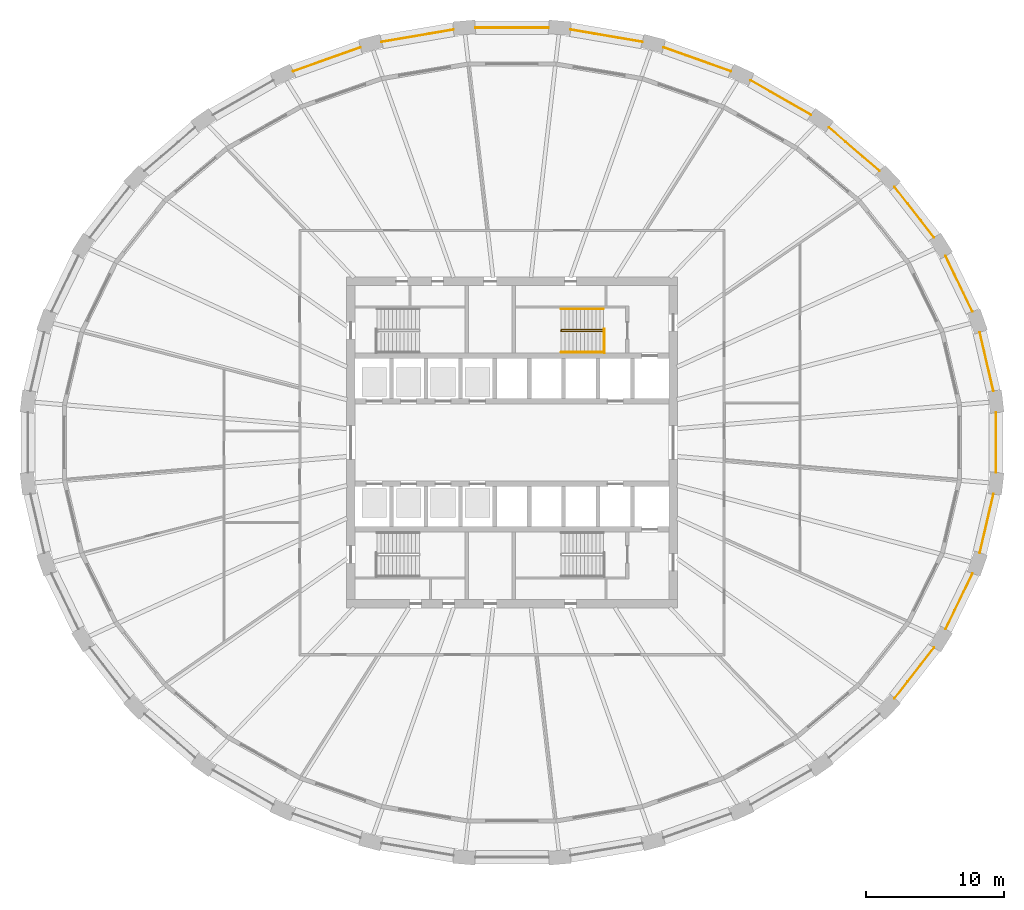
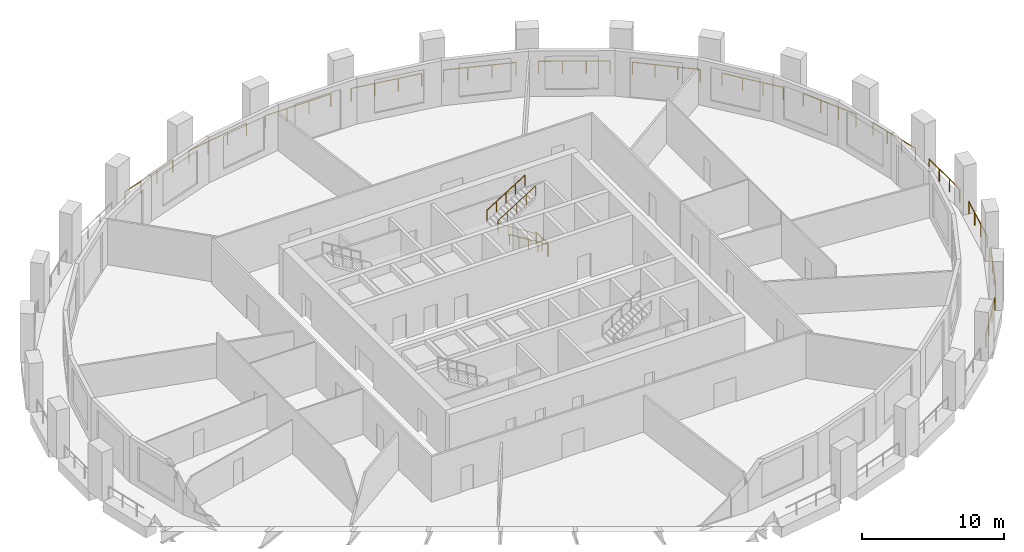
# One storey, part 9 of 10: 18 railings.
"""IFC4 building model written with IfcOpenShell, lengths in metres."""

from ifc_helpers import new_model, si_unit, direction, frame, origin, origin_2d, place, context, subcontext, project, spatial, circle, extrude, material, type_object, element, save


model = new_model("IFC4")

# Units and contexts
model_context = context("Model", 3, precision=1e-05, world=origin(), true_north=direction((0.0, 1.0)))
body_context = subcontext(model_context, "Body", "Model", "MODEL_VIEW")
ifc_project = project(units=[si_unit("LENGTHUNIT", "METRE"), si_unit("AREAUNIT", "SQUARE_METRE"), si_unit("VOLUMEUNIT", "CUBIC_METRE"), si_unit("PLANEANGLEUNIT", "RADIAN"), si_unit("MASSUNIT", "GRAM", prefix="KILO")], contexts=[model_context])

# Site, building, storey
site_placement = place(None, origin())
site = spatial("IfcSite", under=ifc_project, at=site_placement, CompositionType="ELEMENT")
building_placement = place(site_placement, origin())
building = spatial("IfcBuilding", under=site, at=building_placement, Name="Halqa Exchange Tower", CompositionType="ELEMENT")
storey_placement = place(building_placement, frame((0.0, 0.0, 108.699951171875)))
storey = spatial("IfcBuildingStorey", under=building, at=storey_placement, Name="L24", CompositionType="ELEMENT", Elevation=108.699951171875)

# Railings
ifc_material = material(Name="Stainless steel", Category="steel")
railing_type_1 = type_object("IfcRailingType", Name="Guard 1100 stainless steel", PredefinedType="GUARDRAIL", material=ifc_material)
railing_1_placement = place(storey_placement, frame((34.938720703125, 3.744140625, 0.0)))
element("IfcRailing", 1, at=railing_1_placement, inside=storey, type_object=railing_type_1, Name="Loggia guard 1", PredefinedType="GUARDRAIL", context=body_context, shape_type="SweptSolid", body=[
    extrude(circle(Radius=0.02392578125, at=origin_2d()), frame((0.0, 0.0, 1.076171875), z_axis=(-0.226083325103, 0.974107966352, 0.0), x_axis=(-0.974107966352, -0.226083325103, 0.0)), (0.0, 0.0, 1.0), 4.3701171875),
    extrude(circle(Radius=0.02099609375, at=origin_2d()), origin(), (0.0, 0.0, 1.0), 1.052001953125),
    extrude(circle(Radius=0.02099609375, at=origin_2d()), frame((-0.329345703125, 1.4189453125, 0.0)), (0.0, 0.0, 1.0), 1.052001953125),
    extrude(circle(Radius=0.02099609375, at=origin_2d()), frame((-0.65869140625, 2.838134765625, 0.0)), (0.0, 0.0, 1.0), 1.052001953125),
    extrude(circle(Radius=0.02099609375, at=origin_2d()), frame((-0.988037109375, 4.257080078125, 0.0)), (0.0, 0.0, 1.0), 1.052001953125),
])
railing_2_placement = place(storey_placement, frame((33.421875, 9.5009765625, 0.0)))
element("IfcRailing", 2, at=railing_2_placement, inside=storey, type_object=railing_type_1, Name="Loggia guard 2", PredefinedType="GUARDRAIL", context=body_context, shape_type="SweptSolid", body=[
    extrude(circle(Radius=0.02392578125, at=origin_2d()), frame((0.0, 0.0, 1.076171875), z_axis=(-0.435108344434, 0.900378103134, 0.0), x_axis=(-0.900378103134, -0.435108344434, 0.0)), (0.0, 0.0, 1.0), 4.484375),
    extrude(circle(Radius=0.02099609375, at=origin_2d()), origin(), (0.0, 0.0, 1.0), 1.052001953125),
    extrude(circle(Radius=0.02099609375, at=origin_2d()), frame((-0.650390625, 1.345947265625, 0.0)), (0.0, 0.0, 1.0), 1.052001953125),
    extrude(circle(Radius=0.02099609375, at=origin_2d()), frame((-1.30078125, 2.691650390625, 0.0)), (0.0, 0.0, 1.0), 1.052001953125),
    extrude(circle(Radius=0.02099609375, at=origin_2d()), frame((-1.951171875, 4.03759765625, 0.0)), (0.0, 0.0, 1.0), 1.052001953125),
])
railing_3_placement = place(storey_placement, frame((30.630859375, 14.889892578125, 0.0)))
element("IfcRailing", 3, at=railing_3_placement, inside=storey, type_object=railing_type_1, Name="Loggia guard 3", PredefinedType="GUARDRAIL", context=body_context, shape_type="SweptSolid", body=[
    extrude(circle(Radius=0.02392578125, at=origin_2d()), frame((0.0, 0.0, 1.076171875), z_axis=(-0.614826844316, 0.788662127599, 0.0), x_axis=(-0.788662127599, -0.614826844316, 0.0)), (0.0, 0.0, 1.0), 4.651611328125),
    extrude(circle(Radius=0.02099609375, at=origin_2d()), origin(), (0.0, 0.0, 1.0), 1.052001953125),
    extrude(circle(Radius=0.02099609375, at=origin_2d()), frame((-0.953369140625, 1.222900390625, 0.0)), (0.0, 0.0, 1.0), 1.052001953125),
    extrude(circle(Radius=0.02099609375, at=origin_2d()), frame((-1.906494140625, 2.445556640625, 0.0)), (0.0, 0.0, 1.0), 1.052001953125),
    extrude(circle(Radius=0.02099609375, at=origin_2d()), frame((-2.85986328125, 3.66845703125, 0.0)), (0.0, 0.0, 1.0), 1.052001953125),
])
railing_4_placement = place(storey_placement, frame((26.671875, 19.709716796875, 0.0)))
element("IfcRailing", 4, at=railing_4_placement, inside=storey, type_object=railing_type_1, Name="Loggia guard 4", PredefinedType="GUARDRAIL", context=body_context, shape_type="SweptSolid", body=[
    extrude(circle(Radius=0.02392578125, at=origin_2d()), frame((0.0, 0.0, 1.076171875), z_axis=(-0.759242368447, 0.650807979327, 0.0), x_axis=(-0.650807979327, -0.759242368447, 0.0)), (0.0, 0.0, 1.0), 4.843017578125),
    extrude(circle(Radius=0.02099609375, at=origin_2d()), origin(), (0.0, 0.0, 1.0), 1.052001953125),
    extrude(circle(Radius=0.02099609375, at=origin_2d()), frame((-1.2255859375, 1.050537109375, 0.0)), (0.0, 0.0, 1.0), 1.052001953125),
    extrude(circle(Radius=0.02099609375, at=origin_2d()), frame((-2.451416015625, 2.101318359375, 0.0)), (0.0, 0.0, 1.0), 1.052001953125),
    extrude(circle(Radius=0.02099609375, at=origin_2d()), frame((-3.677001953125, 3.15185546875, 0.0)), (0.0, 0.0, 1.0), 1.052001953125),
])
railing_5_placement = place(storey_placement, frame((21.693115234375, 23.77978515625, 0.0)))
element("IfcRailing", 5, at=railing_5_placement, inside=storey, type_object=railing_type_1, Name="Loggia guard 5", PredefinedType="GUARDRAIL", context=body_context, shape_type="SweptSolid", body=[
    extrude(circle(Radius=0.02392578125, at=origin_2d()), frame((0.0, 0.0, 1.076171875), z_axis=(-0.867764691491, 0.496975291339, 0.0), x_axis=(-0.496975291339, -0.867764691491, 0.0)), (0.0, 0.0, 1.0), 5.028564453125),
    extrude(circle(Radius=0.02099609375, at=origin_2d()), origin(), (0.0, 0.0, 1.0), 1.052001953125),
    extrude(circle(Radius=0.02099609375, at=origin_2d()), frame((-1.45458984375, 0.8330078125, 0.0)), (0.0, 0.0, 1.0), 1.052001953125),
    extrude(circle(Radius=0.02099609375, at=origin_2d()), frame((-2.908935546875, 1.666015625, 0.0)), (0.0, 0.0, 1.0), 1.052001953125),
    extrude(circle(Radius=0.02099609375, at=origin_2d()), frame((-4.363525390625, 2.4990234375, 0.0)), (0.0, 0.0, 1.0), 1.052001953125),
])
railing_6_placement = place(storey_placement, frame((15.881591796875, 26.944091796875, 0.0)))
element("IfcRailing", 6, at=railing_6_placement, inside=storey, type_object=railing_type_1, Name="Loggia guard 6", PredefinedType="GUARDRAIL", context=body_context, shape_type="SweptSolid", body=[
    extrude(circle(Radius=0.02392578125, at=origin_2d()), frame((0.0, 0.0, 1.076171875), z_axis=(-0.942371218472, 0.334569105858, 0.0), x_axis=(-0.334569105858, -0.942371218472, 0.0)), (0.0, 0.0, 1.0), 5.182373046875),
    extrude(circle(Radius=0.02099609375, at=origin_2d()), origin(), (0.0, 0.0, 1.0), 1.052001953125),
    extrude(circle(Radius=0.02099609375, at=origin_2d()), frame((-1.6279296875, 0.577880859375, 0.0)), (0.0, 0.0, 1.0), 1.052001953125),
    extrude(circle(Radius=0.02099609375, at=origin_2d()), frame((-3.255859375, 1.156005859375, 0.0)), (0.0, 0.0, 1.0), 1.052001953125),
    extrude(circle(Radius=0.02099609375, at=origin_2d()), frame((-4.8837890625, 1.73388671875, 0.0)), (0.0, 0.0, 1.0), 1.052001953125),
])
railing_7_placement = place(storey_placement, frame((9.455322265625, 29.080078125, 0.0)))
element("IfcRailing", 7, at=railing_7_placement, inside=storey, type_object=railing_type_1, Name="Loggia guard 7", PredefinedType="GUARDRAIL", context=body_context, shape_type="SweptSolid", body=[
    extrude(circle(Radius=0.02392578125, at=origin_2d()), frame((0.0, 0.0, 1.076171875), z_axis=(-0.985773799139, 0.168077413505, 0.0), x_axis=(-0.168077413505, -0.985773799139, 0.0)), (0.0, 0.0, 1.0), 5.282958984375),
    extrude(circle(Radius=0.02099609375, at=origin_2d()), origin(), (0.0, 0.0, 1.0), 1.052001953125),
    extrude(circle(Radius=0.02099609375, at=origin_2d()), frame((-1.73583984375, 0.2958984375, 0.0)), (0.0, 0.0, 1.0), 1.052001953125),
    extrude(circle(Radius=0.02099609375, at=origin_2d()), frame((-3.471923828125, 0.592041015625, 0.0)), (0.0, 0.0, 1.0), 1.052001953125),
    extrude(circle(Radius=0.02099609375, at=origin_2d()), frame((-5.207763671875, 0.887939453125, 0.0)), (0.0, 0.0, 1.0), 1.052001953125),
])
railing_8_placement = place(storey_placement, frame((2.658935546875, 30.102294921875, 0.0)))
element("IfcRailing", 8, at=railing_8_placement, inside=storey, type_object=railing_type_1, Name="Loggia guard 8", PredefinedType="GUARDRAIL", context=body_context, shape_type="SweptSolid", body=[
    extrude(circle(Radius=0.02392578125, at=origin_2d()), frame((0.0, 0.0, 1.076171875), z_axis=(-1.0, 0.0, 0.0), x_axis=(0.0, -1.0, 0.0)), (0.0, 0.0, 1.0), 5.31787109375),
    extrude(circle(Radius=0.02099609375, at=origin_2d()), origin(), (0.0, 0.0, 1.0), 1.052001953125),
    extrude(circle(Radius=0.02099609375, at=origin_2d()), frame((-1.772705078125, 0.0, 0.0)), (0.0, 0.0, 1.0), 1.052001953125),
    extrude(circle(Radius=0.02099609375, at=origin_2d()), frame((-3.545166015625, 0.0, 0.0)), (0.0, 0.0, 1.0), 1.052001953125),
    extrude(circle(Radius=0.02099609375, at=origin_2d()), frame((-5.31787109375, 0.0, 0.0)), (0.0, 0.0, 1.0), 1.052001953125),
])
railing_9_placement = place(storey_placement, frame((-4.24755859375, 29.968017578125, 0.0)))
element("IfcRailing", 9, at=railing_9_placement, inside=storey, type_object=railing_type_1, Name="Loggia guard 9", PredefinedType="GUARDRAIL", context=body_context, shape_type="SweptSolid", body=[
    extrude(circle(Radius=0.02392578125, at=origin_2d()), frame((0.0, 0.0, 1.076171875), z_axis=(-0.985773799139, -0.168077413505, 0.0), x_axis=(0.168077413505, -0.985773799139, 0.0)), (0.0, 0.0, 1.0), 5.282958984375),
    extrude(circle(Radius=0.02099609375, at=origin_2d()), origin(), (0.0, 0.0, 1.0), 1.052001953125),
    extrude(circle(Radius=0.02099609375, at=origin_2d()), frame((-1.73583984375, -0.2958984375, 0.0)), (0.0, 0.0, 1.0), 1.052001953125),
    extrude(circle(Radius=0.02099609375, at=origin_2d()), frame((-3.471923828125, -0.592041015625, 0.0)), (0.0, 0.0, 1.0), 1.052001953125),
    extrude(circle(Radius=0.02099609375, at=origin_2d()), frame((-5.207763671875, -0.887939453125, 0.0)), (0.0, 0.0, 1.0), 1.052001953125),
])
railing_10_placement = place(storey_placement, frame((-10.997802734375, 28.677978515625, 0.0)))
element("IfcRailing", 10, at=railing_10_placement, inside=storey, type_object=railing_type_1, Name="Loggia guard 10", PredefinedType="GUARDRAIL", context=body_context, shape_type="SweptSolid", body=[
    extrude(circle(Radius=0.02392578125, at=origin_2d()), frame((0.0, 0.0, 1.076171875), z_axis=(-0.942371218472, -0.334569105858, 0.0), x_axis=(0.334569105858, -0.942371218472, 0.0)), (0.0, 0.0, 1.0), 5.182373046875),
    extrude(circle(Radius=0.02099609375, at=origin_2d()), origin(), (0.0, 0.0, 1.0), 1.052001953125),
    extrude(circle(Radius=0.02099609375, at=origin_2d()), frame((-1.6279296875, -0.577880859375, 0.0)), (0.0, 0.0, 1.0), 1.052001953125),
    extrude(circle(Radius=0.02099609375, at=origin_2d()), frame((-3.255859375, -1.156005859375, 0.0)), (0.0, 0.0, 1.0), 1.052001953125),
    extrude(circle(Radius=0.02099609375, at=origin_2d()), frame((-4.8837890625, -1.73388671875, 0.0)), (0.0, 0.0, 1.0), 1.052001953125),
])
railing_11_placement = place(storey_placement, frame((27.77099609375, -18.558349609375, 0.0)))
element("IfcRailing", 11, at=railing_11_placement, inside=storey, type_object=railing_type_1, Name="Loggia guard 29", PredefinedType="GUARDRAIL", context=body_context, shape_type="SweptSolid", body=[
    extrude(circle(Radius=0.02392578125, at=origin_2d()), frame((0.0, 0.0, 1.076171875), z_axis=(0.614826844316, 0.788662127599, 0.0), x_axis=(-0.788662127599, 0.614826844316, 0.0)), (0.0, 0.0, 1.0), 4.651611328125),
    extrude(circle(Radius=0.02099609375, at=origin_2d()), origin(), (0.0, 0.0, 1.0), 1.052001953125),
    extrude(circle(Radius=0.02099609375, at=origin_2d()), frame((0.953369140625, 1.222900390625, 0.0)), (0.0, 0.0, 1.0), 1.052001953125),
    extrude(circle(Radius=0.02099609375, at=origin_2d()), frame((1.906494140625, 2.445556640625, 0.0)), (0.0, 0.0, 1.0), 1.052001953125),
    extrude(circle(Radius=0.02099609375, at=origin_2d()), frame((2.85986328125, 3.66845703125, 0.0)), (0.0, 0.0, 1.0), 1.052001953125),
])
railing_12_placement = place(storey_placement, frame((31.470703125, -13.53857421875, 0.0)))
element("IfcRailing", 12, at=railing_12_placement, inside=storey, type_object=railing_type_1, Name="Loggia guard 30", PredefinedType="GUARDRAIL", context=body_context, shape_type="SweptSolid", body=[
    extrude(circle(Radius=0.02392578125, at=origin_2d()), frame((0.0, 0.0, 1.076171875), z_axis=(0.435108344434, 0.900378103134, 0.0), x_axis=(-0.900378103134, 0.435108344434, 0.0)), (0.0, 0.0, 1.0), 4.484375),
    extrude(circle(Radius=0.02099609375, at=origin_2d()), origin(), (0.0, 0.0, 1.0), 1.052001953125),
    extrude(circle(Radius=0.02099609375, at=origin_2d()), frame((0.650390625, 1.345947265625, 0.0)), (0.0, 0.0, 1.0), 1.052001953125),
    extrude(circle(Radius=0.02099609375, at=origin_2d()), frame((1.30078125, 2.691650390625, 0.0)), (0.0, 0.0, 1.0), 1.052001953125),
    extrude(circle(Radius=0.02099609375, at=origin_2d()), frame((1.951171875, 4.03759765625, 0.0)), (0.0, 0.0, 1.0), 1.052001953125),
])
railing_13_placement = place(storey_placement, frame((33.95068359375, -8.001220703125, 0.0)))
element("IfcRailing", 13, at=railing_13_placement, inside=storey, type_object=railing_type_1, Name="Loggia guard 31", PredefinedType="GUARDRAIL", context=body_context, shape_type="SweptSolid", body=[
    extrude(circle(Radius=0.02392578125, at=origin_2d()), frame((0.0, 0.0, 1.076171875), z_axis=(0.226083325103, 0.974107966352, 0.0), x_axis=(-0.974107966352, 0.226083325103, 0.0)), (0.0, 0.0, 1.0), 4.3701171875),
    extrude(circle(Radius=0.02099609375, at=origin_2d()), origin(), (0.0, 0.0, 1.0), 1.052001953125),
    extrude(circle(Radius=0.02099609375, at=origin_2d()), frame((0.329345703125, 1.4189453125, 0.0)), (0.0, 0.0, 1.0), 1.052001953125),
    extrude(circle(Radius=0.02099609375, at=origin_2d()), frame((0.65869140625, 2.838134765625, 0.0)), (0.0, 0.0, 1.0), 1.052001953125),
    extrude(circle(Radius=0.02099609375, at=origin_2d()), frame((0.988037109375, 4.257080078125, 0.0)), (0.0, 0.0, 1.0), 1.052001953125),
])
railing_14_placement = place(storey_placement, frame((35.11962890625, -2.164794921875, 0.0)))
element("IfcRailing", 14, at=railing_14_placement, inside=storey, type_object=railing_type_1, Name="Loggia guard 32", PredefinedType="GUARDRAIL", context=body_context, shape_type="SweptSolid", body=[
    extrude(circle(Radius=0.02392578125, at=origin_2d()), frame((0.0, 0.0, 1.076171875), z_axis=(0.0, 1.0, 0.0), x_axis=(-1.0, 0.0, 0.0)), (0.0, 0.0, 1.0), 4.32958984375),
    extrude(circle(Radius=0.02099609375, at=origin_2d()), origin(), (0.0, 0.0, 1.0), 1.052001953125),
    extrude(circle(Radius=0.02099609375, at=origin_2d()), frame((0.0, 1.443115234375, 0.0)), (0.0, 0.0, 1.0), 1.052001953125),
    extrude(circle(Radius=0.02099609375, at=origin_2d()), frame((0.0, 2.886474609375, 0.0)), (0.0, 0.0, 1.0), 1.052001953125),
    extrude(circle(Radius=0.02099609375, at=origin_2d()), frame((0.0, 4.32958984375, 0.0)), (0.0, 0.0, 1.0), 1.052001953125),
])
railing_type_2 = type_object("IfcRailingType", Name="Stair handrail 900", PredefinedType="HANDRAIL", material=ifc_material)
railing_15_placement = place(storey_placement, frame((6.64990234375, 8.06005859375, 0.175048828125)))
element("IfcRailing", 15, at=railing_15_placement, inside=storey, type_object=railing_type_2, Name="Handrail ST2.1", PredefinedType="HANDRAIL", context=body_context, shape_type="SweptSolid", body=[
    extrude(circle(Radius=0.02392578125, at=origin_2d()), frame((0.0, 0.0, 0.8759765625), z_axis=(-0.847979421464, 0.0, 0.530029150871), x_axis=(0.0, -1.0, 0.0)), (0.0, 0.0, 1.0), 3.632080078125),
    extrude(circle(Radius=0.02392578125, at=origin_2d()), frame((-3.079833984375, 0.0, 2.80078125), z_axis=(0.0, 0.595870227118, 0.803080738428), x_axis=(-1.0, 0.0, 0.0)), (0.0, 0.0, 1.0), 0.218017578125),
    extrude(circle(Radius=0.02392578125, at=origin_2d()), frame((-3.079833984375, 0.1298828125, 2.97607421875), z_axis=(0.848009633417, 0.0, 0.529980812513), x_axis=(0.0, 1.0, 0.0)), (0.0, 0.0, 1.0), 3.6318359375),
    extrude(circle(Radius=0.02099609375, at=origin_2d()), origin(), (0.0, 0.0, 1.0), 0.851806640625),
    extrude(circle(Radius=0.02099609375, at=origin_2d()), frame((-0.77001953125, 0.0, 0.481201171875)), (0.0, 0.0, 1.0), 0.851806640625),
    extrude(circle(Radius=0.02099609375, at=origin_2d()), frame((-1.5400390625, 0.0, 0.96240234375)), (0.0, 0.0, 1.0), 0.851806640625),
    extrude(circle(Radius=0.02099609375, at=origin_2d()), frame((-2.309814453125, 0.0, 1.44384765625)), (0.0, 0.0, 1.0), 0.851806640625),
    extrude(circle(Radius=0.02099609375, at=origin_2d()), frame((-3.079833984375, 0.0, 1.925048828125)), (0.0, 0.0, 1.0), 0.851806640625),
    extrude(circle(Radius=0.02099609375, at=origin_2d()), frame((-3.079833984375, 0.1298828125, 2.10009765625)), (0.0, 0.0, 1.0), 0.851806640625),
    extrude(circle(Radius=0.02099609375, at=origin_2d()), frame((-2.309814453125, 0.1298828125, 2.581298828125)), (0.0, 0.0, 1.0), 0.851806640625),
    extrude(circle(Radius=0.02099609375, at=origin_2d()), frame((-1.5400390625, 0.1298828125, 3.0625)), (0.0, 0.0, 1.0), 0.851806640625),
    extrude(circle(Radius=0.02099609375, at=origin_2d()), frame((-0.77001953125, 0.1298828125, 3.543701171875)), (0.0, 0.0, 1.0), 0.851806640625),
    extrude(circle(Radius=0.02099609375, at=origin_2d()), frame((0.0, 0.1298828125, 4.02490234375)), (0.0, 0.0, 1.0), 0.851806640625),
])
railing_16_placement = place(storey_placement, frame((6.64990234375, 6.550048828125, 0.175048828125)))
element("IfcRailing", 16, at=railing_16_placement, inside=storey, type_object=railing_type_2, Name="Handrail ST2.2", PredefinedType="HANDRAIL", context=body_context, shape_type="SweptSolid", body=[
    extrude(circle(Radius=0.02392578125, at=origin_2d()), frame((0.0, 0.0, 0.8759765625), z_axis=(-0.847979421464, 0.0, 0.530029150871), x_axis=(0.0, -1.0, 0.0)), (0.0, 0.0, 1.0), 3.632080078125),
    extrude(circle(Radius=0.02099609375, at=origin_2d()), origin(), (0.0, 0.0, 1.0), 0.851806640625),
    extrude(circle(Radius=0.02099609375, at=origin_2d()), frame((-0.77001953125, 0.0, 0.481201171875)), (0.0, 0.0, 1.0), 0.851806640625),
    extrude(circle(Radius=0.02099609375, at=origin_2d()), frame((-1.5400390625, 0.0, 0.96240234375)), (0.0, 0.0, 1.0), 0.851806640625),
    extrude(circle(Radius=0.02099609375, at=origin_2d()), frame((-2.309814453125, 0.0, 1.44384765625)), (0.0, 0.0, 1.0), 0.851806640625),
    extrude(circle(Radius=0.02099609375, at=origin_2d()), frame((-3.079833984375, 0.0, 1.925048828125)), (0.0, 0.0, 1.0), 0.851806640625),
])
railing_17_placement = place(storey_placement, frame((3.570068359375, 9.699951171875, 2.275146484375)))
element("IfcRailing", 17, at=railing_17_placement, inside=storey, type_object=railing_type_2, Name="Handrail ST2.3", PredefinedType="HANDRAIL", context=body_context, shape_type="SweptSolid", body=[
    extrude(circle(Radius=0.02392578125, at=origin_2d()), frame((0.0, 0.0, 0.8759765625), z_axis=(0.848009633417, 0.0, 0.529980812513), x_axis=(0.0, 1.0, 0.0)), (0.0, 0.0, 1.0), 3.6318359375),
    extrude(circle(Radius=0.02099609375, at=origin_2d()), origin(), (0.0, 0.0, 1.0), 0.851806640625),
    extrude(circle(Radius=0.02099609375, at=origin_2d()), frame((0.77001953125, 0.0, 0.481201171875)), (0.0, 0.0, 1.0), 0.851806640625),
    extrude(circle(Radius=0.02099609375, at=origin_2d()), frame((1.5400390625, 0.0, 0.96240234375)), (0.0, 0.0, 1.0), 0.851806640625),
    extrude(circle(Radius=0.02099609375, at=origin_2d()), frame((2.309814453125, 0.0, 1.443603515625)), (0.0, 0.0, 1.0), 0.851806640625),
    extrude(circle(Radius=0.02099609375, at=origin_2d()), frame((3.079833984375, 0.0, 1.9248046875)), (0.0, 0.0, 1.0), 0.851806640625),
])
railing_type_3 = type_object("IfcRailingType", Name="Stair well guard 1100", PredefinedType="GUARDRAIL", material=ifc_material)
railing_18_placement = place(storey_placement, frame((6.699951171875, 6.5, 0.0)))
element("IfcRailing", 18, at=railing_18_placement, inside=storey, type_object=railing_type_3, Name="Guard ST2 well", PredefinedType="GUARDRAIL", context=body_context, shape_type="SweptSolid", body=[
    extrude(circle(Radius=0.02392578125, at=origin_2d()), frame((0.0, 0.0, 1.076171875), z_axis=(0.0, 1.0, 0.0), x_axis=(-1.0, 0.0, 0.0)), (0.0, 0.0, 1.0), 1.75),
    extrude(circle(Radius=0.02099609375, at=origin_2d()), origin(), (0.0, 0.0, 1.0), 1.052001953125),
    extrude(circle(Radius=0.02099609375, at=origin_2d()), frame((0.0, 0.875, 0.0)), (0.0, 0.0, 1.0), 1.052001953125),
    extrude(circle(Radius=0.02099609375, at=origin_2d()), frame((0.0, 1.75, 0.0)), (0.0, 0.0, 1.0), 1.052001953125),
])

save(model, "model.ifc")
